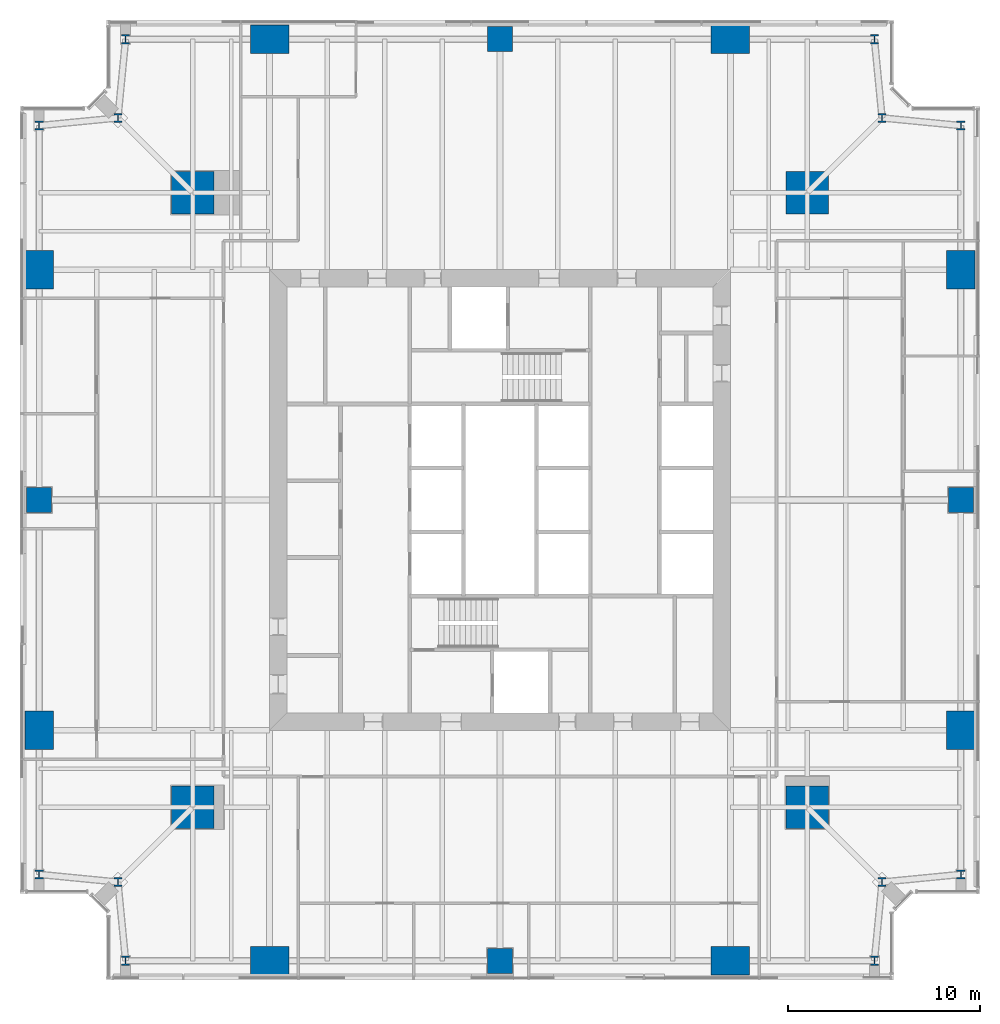
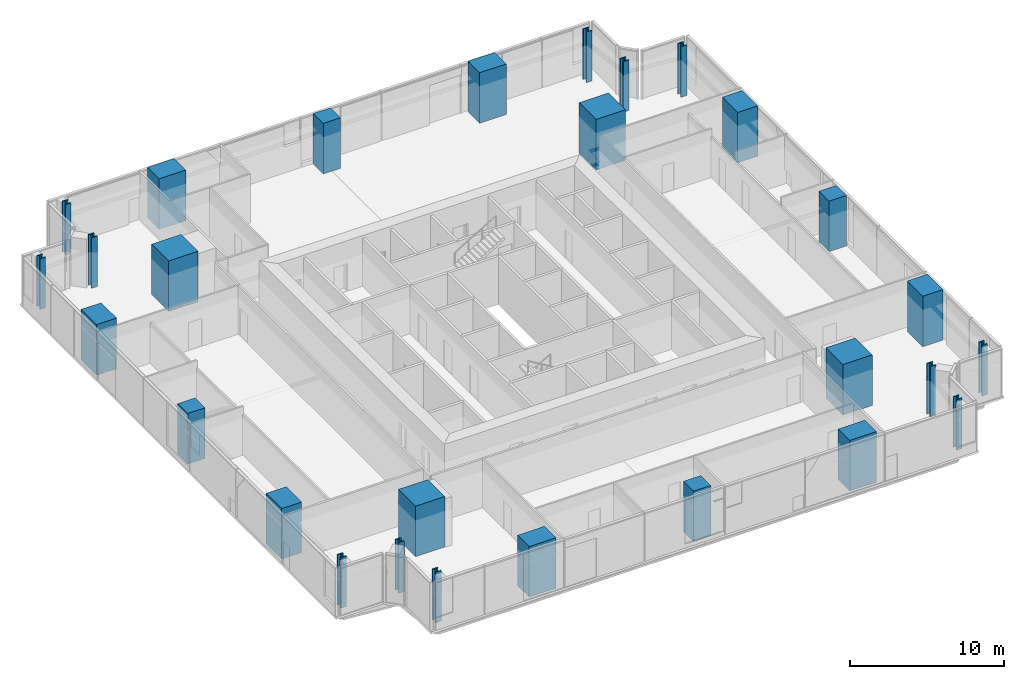
# One storey, part 1 of 14: 28 columns.
"""IFC4 building model written with IfcOpenShell, lengths in metres."""

from ifc_helpers import new_model, si_unit, direction, frame, origin, origin_2d, place, context, subcontext, project, spatial, rectangle, i_section, extrude, material, material_profile, profile_set, type_object, element, save


model = new_model("IFC4")

# Units and contexts
model_context = context("Model", 3, precision=1e-05, world=origin(), true_north=direction((0.0, 1.0)))
body_context = subcontext(model_context, "Body", "Model", "MODEL_VIEW")
ifc_project = project(units=[si_unit("LENGTHUNIT", "METRE"), si_unit("AREAUNIT", "SQUARE_METRE"), si_unit("VOLUMEUNIT", "CUBIC_METRE"), si_unit("PLANEANGLEUNIT", "RADIAN"), si_unit("MASSUNIT", "GRAM", prefix="KILO")], contexts=[model_context])

# Site, building, storey
site_placement = place(None, origin())
site = spatial("IfcSite", under=ifc_project, at=site_placement, CompositionType="ELEMENT")
building_placement = place(site_placement, origin())
building = spatial("IfcBuilding", under=site, at=building_placement, Name="Fenwick Lantern Interchange", CompositionType="ELEMENT")
storey_placement = place(building_placement, frame((0.0, 0.0, 150.39990234375)))
storey = spatial("IfcBuildingStorey", under=building, at=storey_placement, Name="L35", CompositionType="ELEMENT", Elevation=150.39990234375)

# Columns
ifc_material_1 = material(Name="Concrete f'c 70 MPa", Category="concrete")
ifc_material_profile_1 = material_profile(ifc_material_1, rectangle(XDim=2.199951171875, YDim=2.199951171875, at=origin_2d()), Name="RC2200X2200")
ifc_profile_set_1 = profile_set([ifc_material_profile_1], Name="Concrete f'c 70 MPa")
column_type_1 = type_object("IfcColumnType", Name="MEGA COLUMN RC2200X2200", PredefinedType="COLUMN", material=ifc_profile_set_1)
for number, where, z_axis, x_axis, name in (
    (1, (9.0, 9.0, 0.0), (0.0, 0.0, 1.0), (1.0, 0.0, 0.0), "L35/M1"),
    (2, (41.0, 9.0, 0.0), (0.0, 0.0, 1.0), (1.0, 0.0, 0.0), "L35/M2"),
    (3, (41.0, 41.0, 0.0), (0.0, 0.0, 1.0), (1.0, 0.0, 0.0), "L35/M3"),
    (4, (9.0, 41.0, 0.0), (0.0, 0.0, 1.0), (1.0, 0.0, 0.0), "L35/M4"),
):
    element("IfcColumn", number, at=place(storey_placement, frame(where, z_axis=z_axis, x_axis=x_axis)), inside=storey, type_object=column_type_1, Name=name, PredefinedType="COLUMN", context=body_context, shape_type="SweptSolid", body=[
        extrude(rectangle(XDim=2.199951171875, YDim=2.199951171875, at=origin_2d()), origin(), (0.0, 0.0, 1.0), 4.0),
    ])
ifc_material_profile_2 = material_profile(ifc_material_1, rectangle(XDim=1.300048828125, YDim=1.300048828125, at=origin_2d()), Name="RC1300X1300")
ifc_profile_set_2 = profile_set([ifc_material_profile_2], Name="Concrete f'c 70 MPa")
column_type_2 = type_object("IfcColumnType", Name="PERIMETER COLUMN RC1300X1300", PredefinedType="COLUMN", material=ifc_profile_set_2)
for number, where, z_axis, x_axis, name in (
    (5, (25.0, 1.0, 0.0), (0.0, 0.0, 1.0), (1.0, 0.0, 0.0), "L35/CS3"),
    (6, (49.0, 25.0, 0.0), (0.0, 0.0, 1.0), (1.0, 0.0, 0.0), "L35/CE3"),
    (7, (25.0, 49.0, 0.0), (0.0, 0.0, 1.0), (1.0, 0.0, 0.0), "L35/CN3"),
    (8, (1.0, 25.0, 0.0), (0.0, 0.0, 1.0), (1.0, 0.0, 0.0), "L35/CW3"),
):
    element("IfcColumn", number, at=place(storey_placement, frame(where, z_axis=z_axis, x_axis=x_axis)), inside=storey, type_object=column_type_2, Name=name, PredefinedType="COLUMN", context=body_context, shape_type="SweptSolid", body=[
        extrude(rectangle(XDim=1.300048828125, YDim=1.300048828125, at=origin_2d()), origin(), (0.0, 0.0, 1.0), 4.0),
    ])
ifc_material_profile_3 = material_profile(ifc_material_1, rectangle(XDim=1.5, YDim=2.0, at=origin_2d()), Name="RC1500X2000")
ifc_profile_set_3 = profile_set([ifc_material_profile_3], Name="Concrete f'c 70 MPa")
column_type_3 = type_object("IfcColumnType", Name="PERIMETER COLUMN RC1500X2000", PredefinedType="COLUMN", material=ifc_profile_set_3)
for number, where, z_axis, x_axis, name in (
    (9, (49.0, 13.0, 0.0), (0.0, 0.0, 1.0), (1.0, 0.0, 0.0), "L35/CE2"),
    (10, (49.0, 37.0, 0.0), (0.0, 0.0, 1.0), (1.0, 0.0, 0.0), "L35/CE4"),
    (11, (1.0, 37.0, 0.0), (0.0, 0.0, 1.0), (1.0, 0.0, 0.0), "L35/CW2"),
    (12, (1.0, 13.0, 0.0), (0.0, 0.0, 1.0), (1.0, 0.0, 0.0), "L35/CW4"),
):
    element("IfcColumn", number, at=place(storey_placement, frame(where, z_axis=z_axis, x_axis=x_axis)), inside=storey, type_object=column_type_3, Name=name, PredefinedType="COLUMN", context=body_context, shape_type="SweptSolid", body=[
        extrude(rectangle(XDim=1.5, YDim=2.0, at=origin_2d()), origin(), (0.0, 0.0, 1.0), 4.0),
    ])
ifc_material_profile_4 = material_profile(ifc_material_1, rectangle(XDim=2.0, YDim=1.5, at=origin_2d()), Name="RC2000X1500")
ifc_profile_set_4 = profile_set([ifc_material_profile_4], Name="Concrete f'c 70 MPa")
column_type_4 = type_object("IfcColumnType", Name="PERIMETER COLUMN RC2000X1500", PredefinedType="COLUMN", material=ifc_profile_set_4)
for number, where, z_axis, x_axis, name in (
    (13, (13.0, 1.0, 0.0), (0.0, 0.0, 1.0), (1.0, 0.0, 0.0), "L35/CS2"),
    (14, (37.0, 1.0, 0.0), (0.0, 0.0, 1.0), (1.0, 0.0, 0.0), "L35/CS4"),
    (15, (37.0, 49.0, 0.0), (0.0, 0.0, 1.0), (1.0, 0.0, 0.0), "L35/CN2"),
    (16, (13.0, 49.0, 0.0), (0.0, 0.0, 1.0), (1.0, 0.0, 0.0), "L35/CN4"),
):
    element("IfcColumn", number, at=place(storey_placement, frame(where, z_axis=z_axis, x_axis=x_axis)), inside=storey, type_object=column_type_4, Name=name, PredefinedType="COLUMN", context=body_context, shape_type="SweptSolid", body=[
        extrude(rectangle(XDim=2.0, YDim=1.5, at=origin_2d()), origin(), (0.0, 0.0, 1.0), 4.0),
    ])
ifc_material_2 = material(Name="Steel ASTM A992 Grade 50", Category="steel")
ifc_material_profile_5 = material_profile(ifc_material_2, i_section(OverallWidth=0.424072265625, OverallDepth=0.47509765625, WebThickness=0.0478515625, FlangeThickness=0.0771484375, at=origin_2d()), Name="W14X426")
ifc_profile_set_5 = profile_set([ifc_material_profile_5], Name="Steel ASTM A992 Grade 50")
column_type_5 = type_object("IfcColumnType", Name="PERIMETER COLUMN W14X426", PredefinedType="COLUMN", material=ifc_profile_set_5)
for number, where, z_axis, x_axis, name in (
    (17, (5.5, 1.0, 0.0), (0.0, 0.0, 1.0), (1.0, 0.0, 0.0), "L35/CS1"),
    (18, (44.5, 1.0, 0.0), (0.0, 0.0, 1.0), (1.0, 0.0, 0.0), "L35/CS5"),
    (19, (44.89990234375, 5.10009765625, 0.0), (0.0, 0.0, 1.0), (1.0, 0.0, 0.0), "L35/CSR"),
    (20, (49.0, 5.5, 0.0), (0.0, 0.0, 1.0), (1.0, 0.0, 0.0), "L35/CE1"),
    (21, (49.0, 44.5, 0.0), (0.0, 0.0, 1.0), (1.0, 0.0, 0.0), "L35/CE5"),
    (22, (44.89990234375, 44.89990234375, 0.0), (0.0, 0.0, 1.0), (1.0, 0.0, 0.0), "L35/CER"),
    (23, (44.5, 49.0, 0.0), (0.0, 0.0, 1.0), (1.0, 0.0, 0.0), "L35/CN1"),
    (24, (5.5, 49.0, 0.0), (0.0, 0.0, 1.0), (1.0, 0.0, 0.0), "L35/CN5"),
    (25, (5.10009765625, 44.89990234375, 0.0), (0.0, 0.0, 1.0), (1.0, 0.0, 0.0), "L35/CNR"),
    (26, (1.0, 44.5, 0.0), (0.0, 0.0, 1.0), (1.0, 0.0, 0.0), "L35/CW1"),
    (27, (1.0, 5.5, 0.0), (0.0, 0.0, 1.0), (1.0, 0.0, 0.0), "L35/CW5"),
    (28, (5.10009765625, 5.10009765625, 0.0), (0.0, 0.0, 1.0), (1.0, 0.0, 0.0), "L35/CWR"),
):
    element("IfcColumn", number, at=place(storey_placement, frame(where, z_axis=z_axis, x_axis=x_axis)), inside=storey, type_object=column_type_5, Name=name, PredefinedType="COLUMN", context=body_context, shape_type="SweptSolid", body=[
        extrude(i_section(OverallWidth=0.424072265625, OverallDepth=0.47509765625, WebThickness=0.0478515625, FlangeThickness=0.0771484375, at=origin_2d()), origin(), (0.0, 0.0, 1.0), 4.0),
    ])

save(model, "model.ifc")
